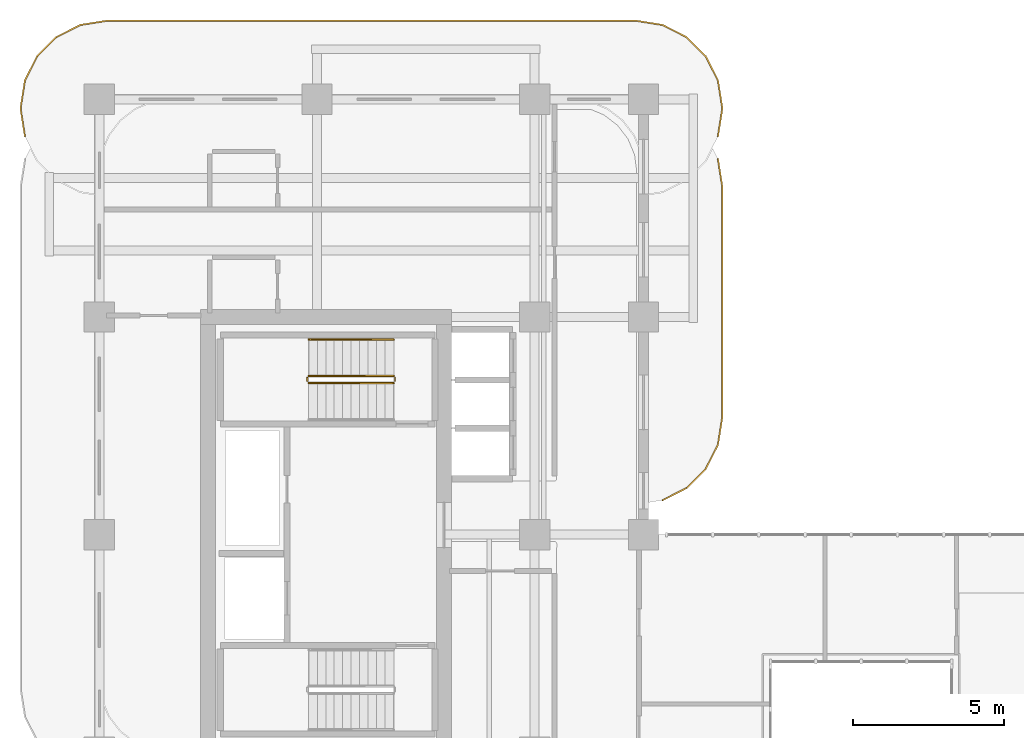
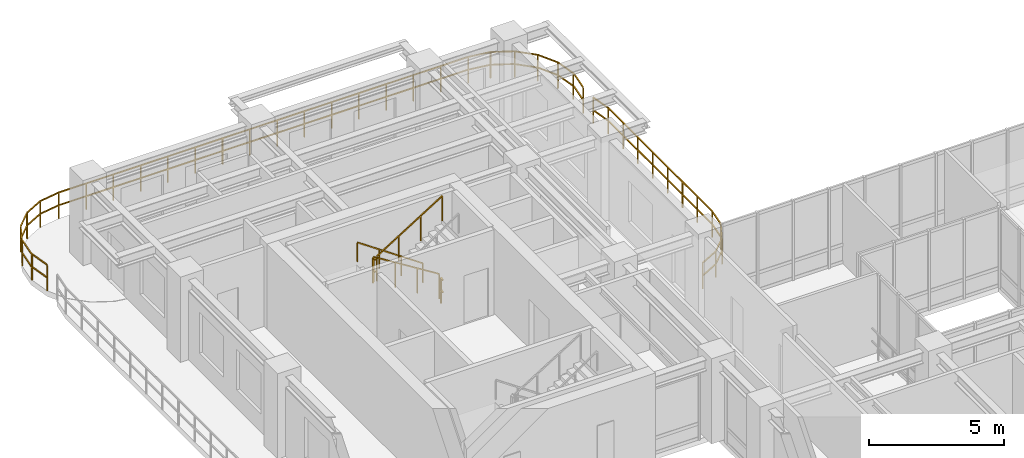
# One storey, part 20 of 20: 7 railings.
"""IFC4 building model written with IfcOpenShell, lengths in metres."""

from ifc_helpers import new_model, si_unit, derived_unit, direction, frame, origin, origin_2d, place, context, subcontext, project, spatial, rectangle, extrude, material, type_object, element, save


model = new_model("IFC4")

# Units and contexts
model_context = context("Model", 3, precision=1e-05, world=origin(), true_north=direction((0.0, 1.0)))
body_context = subcontext(model_context, "Body", "Model", "MODEL_VIEW")
ifc_project = project(units=[si_unit("LENGTHUNIT", "METRE"), si_unit("AREAUNIT", "SQUARE_METRE"), si_unit("VOLUMEUNIT", "CUBIC_METRE"), si_unit("PLANEANGLEUNIT", "RADIAN"), si_unit("MASSUNIT", "GRAM", prefix="KILO"), si_unit("THERMODYNAMICTEMPERATUREUNIT", "KELVIN"), si_unit("POWERUNIT", "WATT"), derived_unit("THERMALTRANSMITTANCEUNIT", [(si_unit("POWERUNIT", "WATT"), 1), (si_unit("AREAUNIT", "SQUARE_METRE"), -1), (si_unit("THERMODYNAMICTEMPERATUREUNIT", "KELVIN"), -1)])], contexts=[model_context])

# Site, building, storey
site_placement = place(None, origin())
site = spatial("IfcSite", under=ifc_project, at=site_placement, CompositionType="ELEMENT")
building_placement = place(site_placement, origin())
building = spatial("IfcBuilding", under=site, at=building_placement, Name="Zahravan Archway Hotel and Residences", CompositionType="ELEMENT")
storey_placement = place(building_placement, frame((0.0, 0.0, 177.25)))
storey = spatial("IfcBuildingStorey", under=building, at=storey_placement, Name="L44", CompositionType="ELEMENT", Elevation=177.25)

# Railings
ifc_material_1 = material(Name="Bronze & Laminated Glass Balustrade", Category="glass")
railing_type_1 = type_object("IfcRailingType", Name="RL-BAL-1200", PredefinedType="BALUSTRADE", material=ifc_material_1)
railing_1_placement = place(storey_placement, frame((-2.46044921875, 45.5693359375, 0.0)))
element("IfcRailing", 1, at=railing_1_placement, inside=storey, type_object=railing_type_1, Name="L44 Balustrade RL-SLB-BAL-L44-NB-1", PredefinedType="BALUSTRADE", context=body_context, shape_type="SweptSolid", body=[
    extrude(rectangle(XDim=0.048095703125, YDim=0.048095703125, at=origin_2d()), frame((0.0, 0.0, 1.17578125), z_axis=(-0.156623399917, 0.987658397726, 0.0), x_axis=(-0.987658397726, -0.156623399917, 0.0)), (0.0, 0.0, 1.0), 0.8916015625),
    extrude(rectangle(XDim=0.048095703125, YDim=0.048095703125, at=origin_2d()), frame((0.0, 0.0, 0.60009765625), z_axis=(-0.156623399917, 0.987658397726, 0.0), x_axis=(-0.987658397726, -0.156623399917, 0.0)), (0.0, 0.0, 1.0), 0.8916015625),
    extrude(rectangle(XDim=0.048095703125, YDim=0.048095703125, at=origin_2d()), frame((-0.1396484375, 0.880615234375, 1.17578125), z_axis=(0.0, 1.0, 0.0), x_axis=(-1.0, 0.0, 0.0)), (0.0, 0.0, 1.0), 0.10009765625),
    extrude(rectangle(XDim=0.048095703125, YDim=0.048095703125, at=origin_2d()), frame((-0.1396484375, 0.880615234375, 0.60009765625), z_axis=(0.0, 1.0, 0.0), x_axis=(-1.0, 0.0, 0.0)), (0.0, 0.0, 1.0), 0.10009765625),
    extrude(rectangle(XDim=0.048095703125, YDim=0.048095703125, at=origin_2d()), frame((-0.1396484375, 0.980712890625, 1.17578125), z_axis=(0.156623399917, 0.987658397726, 0.0), x_axis=(-0.987658397726, 0.156623399917, 0.0)), (0.0, 0.0, 1.0), 0.8916015625),
    extrude(rectangle(XDim=0.048095703125, YDim=0.048095703125, at=origin_2d()), frame((-0.1396484375, 0.980712890625, 0.60009765625), z_axis=(0.156623399917, 0.987658397726, 0.0), x_axis=(-0.987658397726, 0.156623399917, 0.0)), (0.0, 0.0, 1.0), 0.8916015625),
    extrude(rectangle(XDim=0.048095703125, YDim=0.048095703125, at=origin_2d()), frame((0.0, 1.861328125, 1.17578125), z_axis=(0.453991409995, 0.891006060389, 0.0), x_axis=(-0.891006060389, 0.453991409995, 0.0)), (0.0, 0.0, 1.0), 0.8916015625),
    extrude(rectangle(XDim=0.048095703125, YDim=0.048095703125, at=origin_2d()), frame((0.0, 1.861328125, 0.60009765625), z_axis=(0.453991409995, 0.891006060389, 0.0), x_axis=(-0.891006060389, 0.453991409995, 0.0)), (0.0, 0.0, 1.0), 0.8916015625),
    extrude(rectangle(XDim=0.048095703125, YDim=0.048095703125, at=origin_2d()), frame((0.40478515625, 2.65576171875, 1.17578125), z_axis=(0.706969864397, 0.70724367147, 0.0), x_axis=(-0.70724367147, 0.706969864397, 0.0)), (0.0, 0.0, 1.0), 0.8916015625),
    extrude(rectangle(XDim=0.048095703125, YDim=0.048095703125, at=origin_2d()), frame((0.40478515625, 2.65576171875, 0.60009765625), z_axis=(0.706969864397, 0.70724367147, 0.0), x_axis=(-0.70724367147, 0.706969864397, 0.0)), (0.0, 0.0, 1.0), 0.8916015625),
    extrude(rectangle(XDim=0.048095703125, YDim=0.048095703125, at=origin_2d()), frame((1.03515625, 3.286376953125, 1.17578125), z_axis=(0.891062476022, 0.45388067135, 0.0), x_axis=(-0.45388067135, 0.891062476022, 0.0)), (0.0, 0.0, 1.0), 0.891845703125),
    extrude(rectangle(XDim=0.048095703125, YDim=0.048095703125, at=origin_2d()), frame((1.03515625, 3.286376953125, 0.60009765625), z_axis=(0.891062476022, 0.45388067135, 0.0), x_axis=(-0.45388067135, 0.891062476022, 0.0)), (0.0, 0.0, 1.0), 0.891845703125),
    extrude(rectangle(XDim=0.048095703125, YDim=0.048095703125, at=origin_2d()), frame((1.829833984375, 3.691162109375, 1.17578125), z_axis=(0.987700720307, 0.156356282588, 0.0), x_axis=(-0.156356282588, 0.987700720307, 0.0)), (0.0, 0.0, 1.0), 0.8916015625),
    extrude(rectangle(XDim=0.048095703125, YDim=0.048095703125, at=origin_2d()), frame((1.829833984375, 3.691162109375, 0.60009765625), z_axis=(0.987700720307, 0.156356282588, 0.0), x_axis=(-0.156356282588, 0.987700720307, 0.0)), (0.0, 0.0, 1.0), 0.8916015625),
    extrude(rectangle(XDim=0.048095703125, YDim=0.048095703125, at=origin_2d()), frame((2.71044921875, 3.83056640625, 1.17578125), z_axis=(1.0, 0.0, 0.0), x_axis=(0.0, 1.0, 0.0)), (0.0, 0.0, 1.0), 17.5),
    extrude(rectangle(XDim=0.048095703125, YDim=0.048095703125, at=origin_2d()), frame((2.71044921875, 3.83056640625, 0.60009765625), z_axis=(1.0, 0.0, 0.0), x_axis=(0.0, 1.0, 0.0)), (0.0, 0.0, 1.0), 17.5),
    extrude(rectangle(XDim=0.048095703125, YDim=0.048095703125, at=origin_2d()), frame((20.21044921875, 3.83056640625, 1.17578125), z_axis=(0.987700720307, -0.156356282588, 0.0), x_axis=(0.156356282588, 0.987700720307, 0.0)), (0.0, 0.0, 1.0), 0.8916015625),
    extrude(rectangle(XDim=0.048095703125, YDim=0.048095703125, at=origin_2d()), frame((20.21044921875, 3.83056640625, 0.60009765625), z_axis=(0.987700720307, -0.156356282588, 0.0), x_axis=(0.156356282588, 0.987700720307, 0.0)), (0.0, 0.0, 1.0), 0.8916015625),
    extrude(rectangle(XDim=0.048095703125, YDim=0.048095703125, at=origin_2d()), frame((21.091064453125, 3.691162109375, 1.17578125), z_axis=(0.891062476022, -0.45388067135, 0.0), x_axis=(0.45388067135, 0.891062476022, 0.0)), (0.0, 0.0, 1.0), 0.891845703125),
    extrude(rectangle(XDim=0.048095703125, YDim=0.048095703125, at=origin_2d()), frame((21.091064453125, 3.691162109375, 0.60009765625), z_axis=(0.891062476022, -0.45388067135, 0.0), x_axis=(0.45388067135, 0.891062476022, 0.0)), (0.0, 0.0, 1.0), 0.891845703125),
    extrude(rectangle(XDim=0.048095703125, YDim=0.048095703125, at=origin_2d()), frame((21.8857421875, 3.286376953125, 1.17578125), z_axis=(0.706969864397, -0.70724367147, 0.0), x_axis=(0.70724367147, 0.706969864397, 0.0)), (0.0, 0.0, 1.0), 0.8916015625),
    extrude(rectangle(XDim=0.048095703125, YDim=0.048095703125, at=origin_2d()), frame((21.8857421875, 3.286376953125, 0.60009765625), z_axis=(0.706969864397, -0.70724367147, 0.0), x_axis=(0.70724367147, 0.706969864397, 0.0)), (0.0, 0.0, 1.0), 0.8916015625),
    extrude(rectangle(XDim=0.048095703125, YDim=0.048095703125, at=origin_2d()), frame((22.51611328125, 2.65576171875, 1.17578125), z_axis=(0.453991409995, -0.891006060389, 0.0), x_axis=(0.891006060389, 0.453991409995, 0.0)), (0.0, 0.0, 1.0), 0.8916015625),
    extrude(rectangle(XDim=0.048095703125, YDim=0.048095703125, at=origin_2d()), frame((22.51611328125, 2.65576171875, 0.60009765625), z_axis=(0.453991409995, -0.891006060389, 0.0), x_axis=(0.891006060389, 0.453991409995, 0.0)), (0.0, 0.0, 1.0), 0.8916015625),
    extrude(rectangle(XDim=0.048095703125, YDim=0.048095703125, at=origin_2d()), frame((22.9208984375, 1.861328125, 1.17578125), z_axis=(0.156623399917, -0.987658397726, 0.0), x_axis=(0.987658397726, 0.156623399917, 0.0)), (0.0, 0.0, 1.0), 0.8916015625),
    extrude(rectangle(XDim=0.048095703125, YDim=0.048095703125, at=origin_2d()), frame((22.9208984375, 1.861328125, 0.60009765625), z_axis=(0.156623399917, -0.987658397726, 0.0), x_axis=(0.987658397726, 0.156623399917, 0.0)), (0.0, 0.0, 1.0), 0.8916015625),
    extrude(rectangle(XDim=0.048095703125, YDim=0.048095703125, at=origin_2d()), frame((23.060546875, 0.980712890625, 1.17578125), z_axis=(0.0, -1.0, 0.0), x_axis=(1.0, 0.0, 0.0)), (0.0, 0.0, 1.0), 0.10009765625),
    extrude(rectangle(XDim=0.048095703125, YDim=0.048095703125, at=origin_2d()), frame((23.060546875, 0.980712890625, 0.60009765625), z_axis=(0.0, -1.0, 0.0), x_axis=(1.0, 0.0, 0.0)), (0.0, 0.0, 1.0), 0.10009765625),
    extrude(rectangle(XDim=0.048095703125, YDim=0.048095703125, at=origin_2d()), frame((23.060546875, 0.880615234375, 1.17578125), z_axis=(-0.156623399917, -0.987658397726, 0.0), x_axis=(0.987658397726, -0.156623399917, 0.0)), (0.0, 0.0, 1.0), 0.8916015625),
    extrude(rectangle(XDim=0.048095703125, YDim=0.048095703125, at=origin_2d()), frame((23.060546875, 0.880615234375, 0.60009765625), z_axis=(-0.156623399917, -0.987658397726, 0.0), x_axis=(0.987658397726, -0.156623399917, 0.0)), (0.0, 0.0, 1.0), 0.8916015625),
    extrude(rectangle(XDim=0.0419921875, YDim=0.0419921875, at=origin_2d()), origin(), (0.0, 0.0, 1.0), 1.15185546875),
    extrude(rectangle(XDim=0.0419921875, YDim=0.0419921875, at=origin_2d()), frame((-0.1396484375, 0.880615234375, 0.0)), (0.0, 0.0, 1.0), 1.15185546875),
    extrude(rectangle(XDim=0.0419921875, YDim=0.0419921875, at=origin_2d()), frame((0.0, 1.861328125, 0.0)), (0.0, 0.0, 1.0), 1.15185546875),
    extrude(rectangle(XDim=0.0419921875, YDim=0.0419921875, at=origin_2d()), frame((0.40478515625, 2.65576171875, 0.0)), (0.0, 0.0, 1.0), 1.15185546875),
    extrude(rectangle(XDim=0.0419921875, YDim=0.0419921875, at=origin_2d()), frame((1.03515625, 3.286376953125, 0.0)), (0.0, 0.0, 1.0), 1.15185546875),
    extrude(rectangle(XDim=0.0419921875, YDim=0.0419921875, at=origin_2d()), frame((1.829833984375, 3.691162109375, 0.0)), (0.0, 0.0, 1.0), 1.15185546875),
    extrude(rectangle(XDim=0.0419921875, YDim=0.0419921875, at=origin_2d()), frame((2.71044921875, 3.83056640625, 0.0)), (0.0, 0.0, 1.0), 1.15185546875),
    extrude(rectangle(XDim=0.0419921875, YDim=0.0419921875, at=origin_2d()), frame((3.877197265625, 3.83056640625, 0.0)), (0.0, 0.0, 1.0), 1.15185546875),
    extrude(rectangle(XDim=0.0419921875, YDim=0.0419921875, at=origin_2d()), frame((5.043701171875, 3.83056640625, 0.0)), (0.0, 0.0, 1.0), 1.15185546875),
    extrude(rectangle(XDim=0.0419921875, YDim=0.0419921875, at=origin_2d()), frame((6.21044921875, 3.83056640625, 0.0)), (0.0, 0.0, 1.0), 1.15185546875),
    extrude(rectangle(XDim=0.0419921875, YDim=0.0419921875, at=origin_2d()), frame((7.377197265625, 3.83056640625, 0.0)), (0.0, 0.0, 1.0), 1.15185546875),
    extrude(rectangle(XDim=0.0419921875, YDim=0.0419921875, at=origin_2d()), frame((8.543701171875, 3.83056640625, 0.0)), (0.0, 0.0, 1.0), 1.15185546875),
    extrude(rectangle(XDim=0.0419921875, YDim=0.0419921875, at=origin_2d()), frame((9.71044921875, 3.83056640625, 0.0)), (0.0, 0.0, 1.0), 1.15185546875),
    extrude(rectangle(XDim=0.0419921875, YDim=0.0419921875, at=origin_2d()), frame((10.877197265625, 3.83056640625, 0.0)), (0.0, 0.0, 1.0), 1.15185546875),
    extrude(rectangle(XDim=0.0419921875, YDim=0.0419921875, at=origin_2d()), frame((12.043701171875, 3.83056640625, 0.0)), (0.0, 0.0, 1.0), 1.15185546875),
    extrude(rectangle(XDim=0.0419921875, YDim=0.0419921875, at=origin_2d()), frame((13.21044921875, 3.83056640625, 0.0)), (0.0, 0.0, 1.0), 1.15185546875),
    extrude(rectangle(XDim=0.0419921875, YDim=0.0419921875, at=origin_2d()), frame((14.377197265625, 3.83056640625, 0.0)), (0.0, 0.0, 1.0), 1.15185546875),
    extrude(rectangle(XDim=0.0419921875, YDim=0.0419921875, at=origin_2d()), frame((15.543701171875, 3.83056640625, 0.0)), (0.0, 0.0, 1.0), 1.15185546875),
    extrude(rectangle(XDim=0.0419921875, YDim=0.0419921875, at=origin_2d()), frame((16.71044921875, 3.83056640625, 0.0)), (0.0, 0.0, 1.0), 1.15185546875),
    extrude(rectangle(XDim=0.0419921875, YDim=0.0419921875, at=origin_2d()), frame((17.877197265625, 3.83056640625, 0.0)), (0.0, 0.0, 1.0), 1.15185546875),
    extrude(rectangle(XDim=0.0419921875, YDim=0.0419921875, at=origin_2d()), frame((19.043701171875, 3.83056640625, 0.0)), (0.0, 0.0, 1.0), 1.15185546875),
    extrude(rectangle(XDim=0.0419921875, YDim=0.0419921875, at=origin_2d()), frame((20.21044921875, 3.83056640625, 0.0)), (0.0, 0.0, 1.0), 1.15185546875),
    extrude(rectangle(XDim=0.0419921875, YDim=0.0419921875, at=origin_2d()), frame((21.091064453125, 3.691162109375, 0.0)), (0.0, 0.0, 1.0), 1.15185546875),
    extrude(rectangle(XDim=0.0419921875, YDim=0.0419921875, at=origin_2d()), frame((21.8857421875, 3.286376953125, 0.0)), (0.0, 0.0, 1.0), 1.15185546875),
    extrude(rectangle(XDim=0.0419921875, YDim=0.0419921875, at=origin_2d()), frame((22.51611328125, 2.65576171875, 0.0)), (0.0, 0.0, 1.0), 1.15185546875),
    extrude(rectangle(XDim=0.0419921875, YDim=0.0419921875, at=origin_2d()), frame((22.9208984375, 1.861328125, 0.0)), (0.0, 0.0, 1.0), 1.15185546875),
    extrude(rectangle(XDim=0.0419921875, YDim=0.0419921875, at=origin_2d()), frame((23.060546875, 0.980712890625, 0.0)), (0.0, 0.0, 1.0), 1.15185546875),
    extrude(rectangle(XDim=0.0419921875, YDim=0.0419921875, at=origin_2d()), frame((22.9208984375, 0.0, 0.0)), (0.0, 0.0, 1.0), 1.15185546875),
])
railing_2_placement = place(storey_placement, frame((20.46044921875, 44.830810546875, 0.0)))
element("IfcRailing", 2, at=railing_2_placement, inside=storey, type_object=railing_type_1, Name="L44 Balustrade RL-SLB-BAL-L44-EB-1", PredefinedType="BALUSTRADE", context=body_context, shape_type="SweptSolid", body=[
    extrude(rectangle(XDim=0.048095703125, YDim=0.048095703125, at=origin_2d()), frame((0.0, 0.0, 1.17578125), z_axis=(0.156581054338, -0.98766511198, 0.0), x_axis=(0.98766511198, 0.156581054338, 0.0)), (0.0, 0.0, 1.0), 0.891845703125),
    extrude(rectangle(XDim=0.048095703125, YDim=0.048095703125, at=origin_2d()), frame((0.0, 0.0, 0.60009765625), z_axis=(0.156581054338, -0.98766511198, 0.0), x_axis=(0.98766511198, 0.156581054338, 0.0)), (0.0, 0.0, 1.0), 0.891845703125),
    extrude(rectangle(XDim=0.048095703125, YDim=0.048095703125, at=origin_2d()), frame((0.1396484375, -0.880859375, 1.17578125), z_axis=(0.0, -1.0, 0.0), x_axis=(1.0, 0.0, 0.0)), (0.0, 0.0, 1.0), 7.699951171875),
    extrude(rectangle(XDim=0.048095703125, YDim=0.048095703125, at=origin_2d()), frame((0.1396484375, -0.880859375, 0.60009765625), z_axis=(0.0, -1.0, 0.0), x_axis=(1.0, 0.0, 0.0)), (0.0, 0.0, 1.0), 7.699951171875),
    extrude(rectangle(XDim=0.048095703125, YDim=0.048095703125, at=origin_2d()), frame((0.1396484375, -8.580810546875, 1.17578125), z_axis=(-0.156623399917, -0.987658397726, 0.0), x_axis=(0.987658397726, -0.156623399917, 0.0)), (0.0, 0.0, 1.0), 0.8916015625),
    extrude(rectangle(XDim=0.048095703125, YDim=0.048095703125, at=origin_2d()), frame((0.1396484375, -8.580810546875, 0.60009765625), z_axis=(-0.156623399917, -0.987658397726, 0.0), x_axis=(0.987658397726, -0.156623399917, 0.0)), (0.0, 0.0, 1.0), 0.8916015625),
    extrude(rectangle(XDim=0.048095703125, YDim=0.048095703125, at=origin_2d()), frame((0.0, -9.46142578125, 1.17578125), z_axis=(-0.45388067135, -0.891062476022, 0.0), x_axis=(0.891062476022, -0.45388067135, 0.0)), (0.0, 0.0, 1.0), 0.891845703125),
    extrude(rectangle(XDim=0.048095703125, YDim=0.048095703125, at=origin_2d()), frame((0.0, -9.46142578125, 0.60009765625), z_axis=(-0.45388067135, -0.891062476022, 0.0), x_axis=(0.891062476022, -0.45388067135, 0.0)), (0.0, 0.0, 1.0), 0.891845703125),
    extrude(rectangle(XDim=0.048095703125, YDim=0.048095703125, at=origin_2d()), frame((-0.40478515625, -10.256103515625, 1.17578125), z_axis=(-0.707106781187, -0.707106781187, 0.0), x_axis=(0.707106781187, -0.707106781187, 0.0)), (0.0, 0.0, 1.0), 0.891357421875),
    extrude(rectangle(XDim=0.048095703125, YDim=0.048095703125, at=origin_2d()), frame((-0.40478515625, -10.256103515625, 0.60009765625), z_axis=(-0.707106781187, -0.707106781187, 0.0), x_axis=(0.707106781187, -0.707106781187, 0.0)), (0.0, 0.0, 1.0), 0.891357421875),
    extrude(rectangle(XDim=0.048095703125, YDim=0.048095703125, at=origin_2d()), frame((-1.03515625, -10.886474609375, 1.17578125), z_axis=(-0.891062476022, -0.45388067135, 0.0), x_axis=(0.45388067135, -0.891062476022, 0.0)), (0.0, 0.0, 1.0), 0.891845703125),
    extrude(rectangle(XDim=0.048095703125, YDim=0.048095703125, at=origin_2d()), frame((-1.03515625, -10.886474609375, 0.60009765625), z_axis=(-0.891062476022, -0.45388067135, 0.0), x_axis=(0.45388067135, -0.891062476022, 0.0)), (0.0, 0.0, 1.0), 0.891845703125),
    extrude(rectangle(XDim=0.0419921875, YDim=0.0419921875, at=origin_2d()), origin(), (0.0, 0.0, 1.0), 1.15185546875),
    extrude(rectangle(XDim=0.0419921875, YDim=0.0419921875, at=origin_2d()), frame((0.1396484375, -0.880859375, 0.0)), (0.0, 0.0, 1.0), 1.15185546875),
    extrude(rectangle(XDim=0.0419921875, YDim=0.0419921875, at=origin_2d()), frame((0.1396484375, -1.98095703125, 0.0)), (0.0, 0.0, 1.0), 1.15185546875),
    extrude(rectangle(XDim=0.0419921875, YDim=0.0419921875, at=origin_2d()), frame((0.1396484375, -3.080810546875, 0.0)), (0.0, 0.0, 1.0), 1.15185546875),
    extrude(rectangle(XDim=0.0419921875, YDim=0.0419921875, at=origin_2d()), frame((0.1396484375, -4.180908203125, 0.0)), (0.0, 0.0, 1.0), 1.15185546875),
    extrude(rectangle(XDim=0.0419921875, YDim=0.0419921875, at=origin_2d()), frame((0.1396484375, -5.28076171875, 0.0)), (0.0, 0.0, 1.0), 1.15185546875),
    extrude(rectangle(XDim=0.0419921875, YDim=0.0419921875, at=origin_2d()), frame((0.1396484375, -6.380859375, 0.0)), (0.0, 0.0, 1.0), 1.15185546875),
    extrude(rectangle(XDim=0.0419921875, YDim=0.0419921875, at=origin_2d()), frame((0.1396484375, -7.480712890625, 0.0)), (0.0, 0.0, 1.0), 1.15185546875),
    extrude(rectangle(XDim=0.0419921875, YDim=0.0419921875, at=origin_2d()), frame((0.1396484375, -8.580810546875, 0.0)), (0.0, 0.0, 1.0), 1.15185546875),
    extrude(rectangle(XDim=0.0419921875, YDim=0.0419921875, at=origin_2d()), frame((0.0, -9.46142578125, 0.0)), (0.0, 0.0, 1.0), 1.15185546875),
    extrude(rectangle(XDim=0.0419921875, YDim=0.0419921875, at=origin_2d()), frame((-0.40478515625, -10.256103515625, 0.0)), (0.0, 0.0, 1.0), 1.15185546875),
    extrude(rectangle(XDim=0.0419921875, YDim=0.0419921875, at=origin_2d()), frame((-1.03515625, -10.886474609375, 0.0)), (0.0, 0.0, 1.0), 1.15185546875),
    extrude(rectangle(XDim=0.0419921875, YDim=0.0419921875, at=origin_2d()), frame((-1.829833984375, -11.291259765625, 0.0)), (0.0, 0.0, 1.0), 1.15185546875),
])
ifc_material_2 = material(Name="Painted Tubular Steel", Category="steel")
railing_type_2 = type_object("IfcRailingType", Name="RL-STG-1150", PredefinedType="GUARDRAIL", material=ifc_material_2)
railing_3_placement = place(storey_placement, frame((9.72998046875, 37.64990234375, 0.175048828125)))
element("IfcRailing", 3, at=railing_3_placement, inside=storey, type_object=railing_type_2, Name="L44 ST-B2 stair guard 1", PredefinedType="GUARDRAIL", context=body_context, shape_type="SweptSolid", body=[
    extrude(rectangle(XDim=0.048095703125, YDim=0.048095703125, at=origin_2d()), frame((0.0, 0.0, 1.1259765625), z_axis=(-0.848002457836, 0.0, 0.529992293815), x_axis=(0.0, -1.0, 0.0)), (0.0, 0.0, 1.0), 3.302001953125),
    extrude(rectangle(XDim=0.0419921875, YDim=0.0419921875, at=origin_2d()), origin(), (0.0, 0.0, 1.0), 1.101806640625),
    extrude(rectangle(XDim=0.0419921875, YDim=0.0419921875, at=origin_2d()), frame((-0.933349609375, 0.0, 0.583251953125)), (0.0, 0.0, 1.0), 1.101806640625),
    extrude(rectangle(XDim=0.0419921875, YDim=0.0419921875, at=origin_2d()), frame((-1.86669921875, 0.0, 1.166748046875)), (0.0, 0.0, 1.0), 1.101806640625),
    extrude(rectangle(XDim=0.0419921875, YDim=0.0419921875, at=origin_2d()), frame((-2.800048828125, 0.0, 1.75)), (0.0, 0.0, 1.0), 1.101806640625),
])
railing_4_placement = place(storey_placement, frame((6.8798828125, 37.60009765625, 1.925048828125)))
element("IfcRailing", 4, at=railing_4_placement, inside=storey, type_object=railing_type_2, Name="L44 ST-B2 stair guard 2", PredefinedType="GUARDRAIL", context=body_context, shape_type="SweptSolid", body=[
    extrude(rectangle(XDim=0.048095703125, YDim=0.048095703125, at=origin_2d()), frame((0.0, 0.0, 1.1259765625), z_axis=(0.0, -1.0, 0.0), x_axis=(1.0, 0.0, 0.0)), (0.0, 0.0, 1.0), 0.14013671875),
    extrude(rectangle(XDim=0.048095703125, YDim=0.048095703125, at=origin_2d()), frame((0.0, 0.0, 0.574951171875), z_axis=(0.0, -1.0, 0.0), x_axis=(1.0, 0.0, 0.0)), (0.0, 0.0, 1.0), 0.14013671875),
    extrude(rectangle(XDim=0.0419921875, YDim=0.0419921875, at=origin_2d()), origin(), (0.0, 0.0, 1.0), 1.101806640625),
])
railing_5_placement = place(storey_placement, frame((6.929931640625, 37.409912109375, 2.10009765625)))
element("IfcRailing", 5, at=railing_5_placement, inside=storey, type_object=railing_type_2, Name="L44 ST-B2 stair guard 3", PredefinedType="GUARDRAIL", context=body_context, shape_type="SweptSolid", body=[
    extrude(rectangle(XDim=0.048095703125, YDim=0.048095703125, at=origin_2d()), frame((0.0, 0.0, 1.1259765625), z_axis=(0.848002457836, 0.0, 0.529992293815), x_axis=(0.0, 1.0, 0.0)), (0.0, 0.0, 1.0), 3.302001953125),
    extrude(rectangle(XDim=0.0419921875, YDim=0.0419921875, at=origin_2d()), origin(), (0.0, 0.0, 1.0), 1.101806640625),
    extrude(rectangle(XDim=0.0419921875, YDim=0.0419921875, at=origin_2d()), frame((0.933349609375, 0.0, 0.583251953125)), (0.0, 0.0, 1.0), 1.101806640625),
    extrude(rectangle(XDim=0.0419921875, YDim=0.0419921875, at=origin_2d()), frame((1.86669921875, 0.0, 1.166748046875)), (0.0, 0.0, 1.0), 1.101806640625),
    extrude(rectangle(XDim=0.0419921875, YDim=0.0419921875, at=origin_2d()), frame((2.800048828125, 0.0, 1.75)), (0.0, 0.0, 1.0), 1.101806640625),
])
railing_6_placement = place(storey_placement, frame((9.780029296875, 37.60009765625, 0.0)))
element("IfcRailing", 6, at=railing_6_placement, inside=storey, type_object=railing_type_2, Name="L44 ST-B2 stair guard 4", PredefinedType="GUARDRAIL", context=body_context, shape_type="SweptSolid", body=[
    extrude(rectangle(XDim=0.048095703125, YDim=0.048095703125, at=origin_2d()), frame((0.0, 0.0, 1.1259765625), z_axis=(0.0, -1.0, 0.0), x_axis=(1.0, 0.0, 0.0)), (0.0, 0.0, 1.0), 0.14013671875),
    extrude(rectangle(XDim=0.048095703125, YDim=0.048095703125, at=origin_2d()), frame((0.0, 0.0, 0.574951171875), z_axis=(0.0, -1.0, 0.0), x_axis=(1.0, 0.0, 0.0)), (0.0, 0.0, 1.0), 0.14013671875),
    extrude(rectangle(XDim=0.0419921875, YDim=0.0419921875, at=origin_2d()), origin(), (0.0, 0.0, 1.0), 1.101806640625),
])
ifc_material_3 = material(Name="Brushed Stainless Steel", Category="steel")
railing_type_3 = type_object("IfcRailingType", Name="RL-STH-900", PredefinedType="HANDRAIL", material=ifc_material_3)
railing_7_placement = place(storey_placement, frame((9.72998046875, 38.85009765625, 0.175048828125)))
element("IfcRailing", 7, at=railing_7_placement, inside=storey, type_object=railing_type_3, Name="L44 ST-B2 stair handrail 1", PredefinedType="HANDRAIL", context=body_context, shape_type="SweptSolid", body=[
    extrude(rectangle(XDim=0.048095703125, YDim=0.048095703125, at=origin_2d()), frame((0.0, 0.0, 0.8759765625), z_axis=(-0.824039827795, 0.0, 0.566531872191), x_axis=(0.0, -1.0, 0.0)), (0.0, 0.0, 1.0), 3.39794921875),
    extrude(rectangle(XDim=0.0419921875, YDim=0.0419921875, at=origin_2d()), origin(), (0.0, 0.0, 1.0), 0.851806640625),
    extrude(rectangle(XDim=0.0419921875, YDim=0.0419921875, at=origin_2d()), frame((-0.933349609375, 0.0, 0.6416015625)), (0.0, 0.0, 1.0), 0.851806640625),
    extrude(rectangle(XDim=0.0419921875, YDim=0.0419921875, at=origin_2d()), frame((-1.86669921875, 0.0, 1.283447265625)), (0.0, 0.0, 1.0), 0.851806640625),
    extrude(rectangle(XDim=0.0419921875, YDim=0.0419921875, at=origin_2d()), frame((-2.800048828125, 0.0, 1.925048828125)), (0.0, 0.0, 1.0), 0.851806640625),
])

save(model, "model.ifc")
